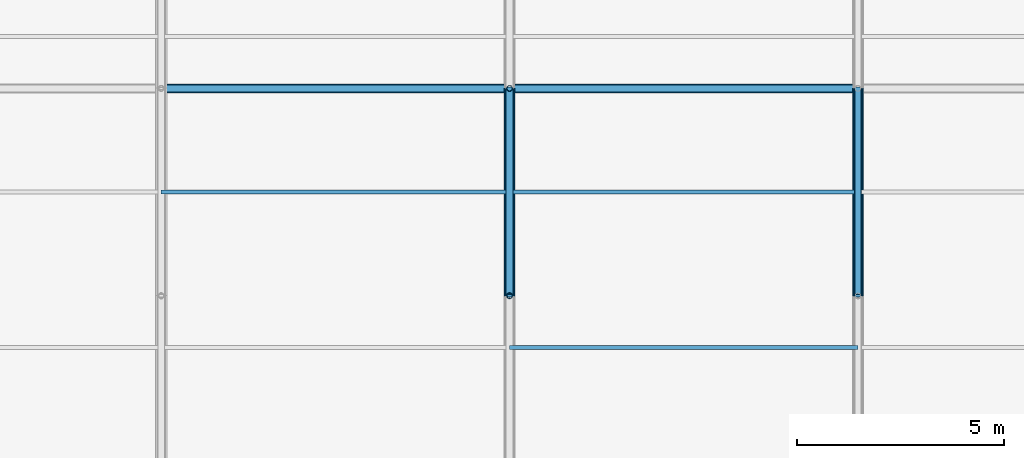
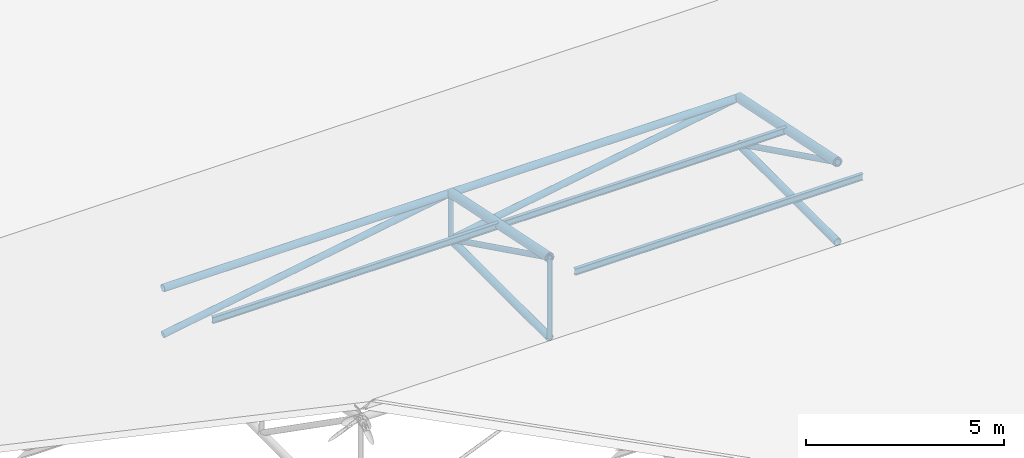
# One storey, part 35 of 194: 12 members, 3 beams.
"""IFC4 building model written with IfcOpenShell, lengths in metres."""

from ifc_helpers import new_model, si_unit, direction, frame, origin, origin_2d, place, context, subcontext, project, spatial, hollow_circle, i_section, extrude, material, material_profile, profile_set, type_object, element, save


model = new_model("IFC4")

# Units and contexts
model_context = context("Model", 3, precision=1e-05, world=origin(), true_north=direction((0.0, 1.0)))
body_context = subcontext(model_context, "Body", "Model", "MODEL_VIEW")
ifc_project = project(units=[si_unit("LENGTHUNIT", "METRE"), si_unit("AREAUNIT", "SQUARE_METRE"), si_unit("VOLUMEUNIT", "CUBIC_METRE"), si_unit("PLANEANGLEUNIT", "RADIAN"), si_unit("MASSUNIT", "GRAM", prefix="KILO")], contexts=[model_context])

# Site, building, storey
site_placement = place(None, origin())
site = spatial("IfcSite", under=ifc_project, at=site_placement, CompositionType="ELEMENT")
building_placement = place(site_placement, origin())
building = spatial("IfcBuilding", under=site, at=building_placement, Name="Kazenagashi Tramway Depot", CompositionType="ELEMENT")
storey_placement = place(building_placement, frame((0.0, 0.0, 23.7)))
storey = spatial("IfcBuildingStorey", under=building, at=storey_placement, Name="ROOF", CompositionType="ELEMENT", Elevation=23.7)

# Beams
ifc_material_1 = material(Name="Steel SN400B", Category="steel")
ifc_material_profile_1 = material_profile(ifc_material_1, i_section(OverallWidth=0.1, OverallDepth=0.2, WebThickness=0.0055, FlangeThickness=0.008, at=origin_2d()), Name="H-200x100x5.5x8")
ifc_profile_set_1 = profile_set([ifc_material_profile_1], Name="Steel SN400B")
beam_type = type_object("IfcBeamType", Name="PR-01", PredefinedType="USERDEFINED", material=ifc_profile_set_1)
for number, where, z_axis, x_axis, name in (
    (1, (103.6, 88.75, -11.305), (1.0, 0.0, 0.0), (0.0, 1.0, 0.0), "Beam PR-01 BM-2079"),
    (2, (95.2, 92.5, -12.13), (1.0, 0.0, 0.0), (0.0, 1.0, 0.0), "Beam PR-01 BM-2096"),
    (3, (103.6, 92.5, -12.13), (1.0, 0.0, 0.0), (0.0, 1.0, 0.0), "Beam PR-01 BM-2097"),
):
    element("IfcBeam", number, at=place(storey_placement, frame(where, z_axis=z_axis, x_axis=x_axis)), inside=storey, type_object=beam_type, Name=name, ObjectType="PURLIN", PredefinedType="USERDEFINED", context=body_context, shape_type="SweptSolid", body=[
        extrude(i_section(OverallWidth=0.1, OverallDepth=0.2, WebThickness=0.0055, FlangeThickness=0.008, at=origin_2d()), origin(), (0.0, 0.0, 1.0), 8.4),
    ])

# Members
ifc_material_2 = material(Name="Steel STK490", Category="steel")
ifc_material_profile_2 = material_profile(ifc_material_2, hollow_circle(Radius=0.1337, WallThickness=0.0093, at=origin_2d()), Name="CHS-267.4x9.3")
ifc_profile_set_2 = profile_set([ifc_material_profile_2], Name="Steel STK490")
member_type_1 = type_object("IfcMemberType", Name="TC-01", PredefinedType="CHORD", material=ifc_profile_set_2)
for number, where, z_axis, x_axis, name in (
    (4, (103.6, 90.0, -11.633), (0.0, 0.979279174591, -0.202514933305), (-1.0, 0.0, 0.0), "Tubular Space Frame TC-01 MEM-0440"),
    (5, (112.0, 90.0, -11.633), (0.0, 0.979279174591, -0.202514933305), (-1.0, 0.0, 0.0), "Tubular Space Frame TC-01 MEM-0501"),
):
    element("IfcMember", number, at=place(storey_placement, frame(where, z_axis=z_axis, x_axis=x_axis)), inside=storey, type_object=member_type_1, Name=name, PredefinedType="CHORD", context=body_context, shape_type="SweptSolid", body=[
        extrude(hollow_circle(Radius=0.1337, WallThickness=0.0093, at=origin_2d()), origin(), (0.0, 0.0, 1.0), 5.105796),
    ])
ifc_material_profile_3 = material_profile(ifc_material_2, hollow_circle(Radius=0.10815, WallThickness=0.0082, at=origin_2d()), Name="CHS-216.3x8.2")
ifc_profile_set_3 = profile_set([ifc_material_profile_3], Name="Steel STK490")
member_type_2 = type_object("IfcMemberType", Name="TC-02", PredefinedType="CHORD", material=ifc_profile_set_3)
member_1_placement = place(storey_placement, frame((95.2, 95.0, -12.667), z_axis=(1.0, 0.0, 0.0), x_axis=(0.0, 1.0, 0.0)))
element("IfcMember", 6, at=member_1_placement, inside=storey, type_object=member_type_2, Name="Tubular Space Frame TC-02 MEM-0396", PredefinedType="CHORD", context=body_context, shape_type="SweptSolid", body=[
    extrude(hollow_circle(Radius=0.10815, WallThickness=0.0082, at=origin_2d()), origin(), (0.0, 0.0, 1.0), 8.4),
])
member_2_placement = place(storey_placement, frame((103.6, 90.0, -14.1), z_axis=(0.0, 1.0, 0.0), x_axis=(-1.0, 0.0, 0.0)))
element("IfcMember", 7, at=member_2_placement, inside=storey, type_object=member_type_2, Name="Tubular Space Frame TC-02 MEM-0441", PredefinedType="CHORD", context=body_context, shape_type="SweptSolid", body=[
    extrude(hollow_circle(Radius=0.10815, WallThickness=0.0082, at=origin_2d()), origin(), (0.0, 0.0, 1.0), 5.0),
])
member_3_placement = place(storey_placement, frame((103.6, 95.0, -12.667), z_axis=(1.0, 0.0, 0.0), x_axis=(0.0, 1.0, 0.0)))
element("IfcMember", 8, at=member_3_placement, inside=storey, type_object=member_type_2, Name="Tubular Space Frame TC-02 MEM-0457", PredefinedType="CHORD", context=body_context, shape_type="SweptSolid", body=[
    extrude(hollow_circle(Radius=0.10815, WallThickness=0.0082, at=origin_2d()), origin(), (0.0, 0.0, 1.0), 8.4),
])
member_4_placement = place(storey_placement, frame((112.0, 90.0, -14.1), z_axis=(0.0, 1.0, 0.0), x_axis=(-1.0, 0.0, 0.0)))
element("IfcMember", 9, at=member_4_placement, inside=storey, type_object=member_type_2, Name="Tubular Space Frame TC-02 MEM-0502", PredefinedType="CHORD", context=body_context, shape_type="SweptSolid", body=[
    extrude(hollow_circle(Radius=0.10815, WallThickness=0.0082, at=origin_2d()), origin(), (0.0, 0.0, 1.0), 5.0),
])
ifc_material_profile_4 = material_profile(ifc_material_2, hollow_circle(Radius=0.0826, WallThickness=0.0071, at=origin_2d()), Name="CHS-165.2x7.1")
ifc_profile_set_4 = profile_set([ifc_material_profile_4], Name="Steel STK490")
member_type_3 = type_object("IfcMemberType", Name="TS-01", PredefinedType="STRUT", material=ifc_profile_set_4)
for number, where, z_axis, x_axis, name in (
    (10, (103.6, 90.0, -11.633), (0.0, 0.896782162482, -0.442472318969), (-1.0, 0.0, 0.0), "Tubular Space Frame TS-01 MEM-0442"),
    (11, (112.0, 90.0, -11.633), (0.0, 0.896782162482, -0.442472318969), (-1.0, 0.0, 0.0), "Tubular Space Frame TS-01 MEM-0503"),
):
    element("IfcMember", number, at=place(storey_placement, frame(where, z_axis=z_axis, x_axis=x_axis)), inside=storey, type_object=member_type_3, Name=name, PredefinedType="STRUT", context=body_context, shape_type="SweptSolid", body=[
        extrude(hollow_circle(Radius=0.0826, WallThickness=0.0071, at=origin_2d()), origin(), (0.0, 0.0, 1.0), 5.57549),
    ])
ifc_material_profile_5 = material_profile(ifc_material_2, hollow_circle(Radius=0.0699, WallThickness=0.0066, at=origin_2d()), Name="CHS-139.8x6.6")
ifc_profile_set_5 = profile_set([ifc_material_profile_5], Name="Steel STK490")
member_type_4 = type_object("IfcMemberType", Name="TS-02", PredefinedType="STRUT", material=ifc_profile_set_5)
member_5_placement = place(storey_placement, frame((103.6, 90.0, -14.1), z_axis=(0.0, 0.0, 1.0), x_axis=(1.0, 0.0, 0.0)))
element("IfcMember", 12, at=member_5_placement, inside=storey, type_object=member_type_4, Name="Tubular Space Frame TS-02 MEM-0450", PredefinedType="STRUT", context=body_context, shape_type="SweptSolid", body=[
    extrude(hollow_circle(Radius=0.0699, WallThickness=0.0066, at=origin_2d()), origin(), (0.0, 0.0, 1.0), 2.467),
])
member_6_placement = place(storey_placement, frame((103.6, 95.0, -14.1), z_axis=(0.0, 0.0, 1.0), x_axis=(1.0, 0.0, 0.0)))
element("IfcMember", 13, at=member_6_placement, inside=storey, type_object=member_type_4, Name="Tubular Space Frame TS-02 MEM-0451", PredefinedType="STRUT", context=body_context, shape_type="SweptSolid", body=[
    extrude(hollow_circle(Radius=0.0699, WallThickness=0.0066, at=origin_2d()), origin(), (0.0, 0.0, 1.0), 1.433),
])
ifc_material_profile_6 = material_profile(ifc_material_2, hollow_circle(Radius=0.09535, WallThickness=0.007, at=origin_2d()), Name="CHS-190.7x7.0")
ifc_profile_set_6 = profile_set([ifc_material_profile_6], Name="Steel STK490")
member_type_5 = type_object("IfcMemberType", Name="TS-05", PredefinedType="STRUT", material=ifc_profile_set_6)
for number, where, z_axis, x_axis, name in (
    (14, (95.2, 95.0, -14.1), (0.985758734117, 0.0, 0.168165745951), (0.0, 1.0, 0.0), "Tubular Space Frame TS-05 MEM-0397"),
    (15, (103.6, 95.0, -14.1), (0.985758734117, 0.0, 0.168165745951), (0.0, 1.0, 0.0), "Tubular Space Frame TS-05 MEM-0458"),
):
    element("IfcMember", number, at=place(storey_placement, frame(where, z_axis=z_axis, x_axis=x_axis)), inside=storey, type_object=member_type_5, Name=name, PredefinedType="STRUT", context=body_context, shape_type="SweptSolid", body=[
        extrude(hollow_circle(Radius=0.09535, WallThickness=0.007, at=origin_2d()), origin(), (0.0, 0.0, 1.0), 8.521355),
    ])

save(model, "model.ifc")
